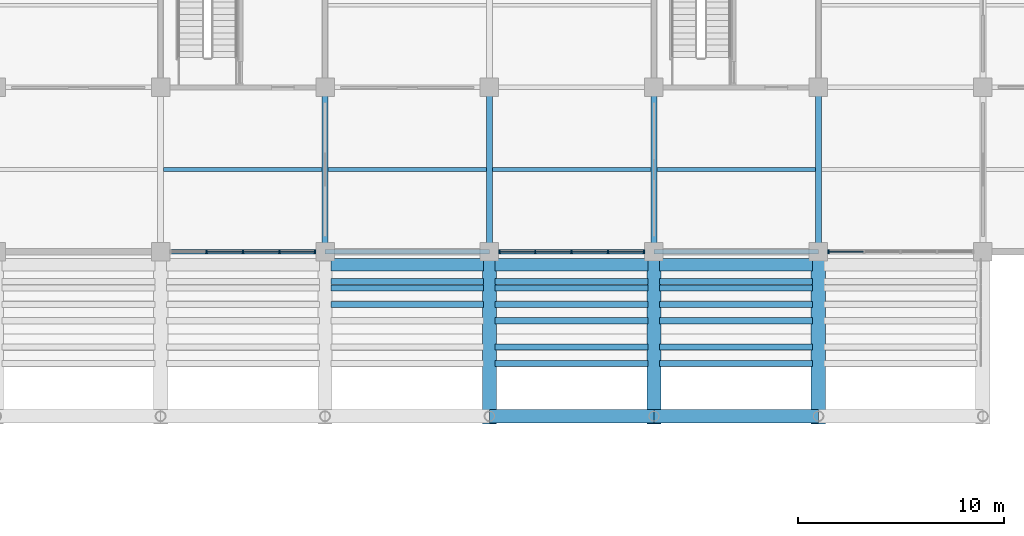
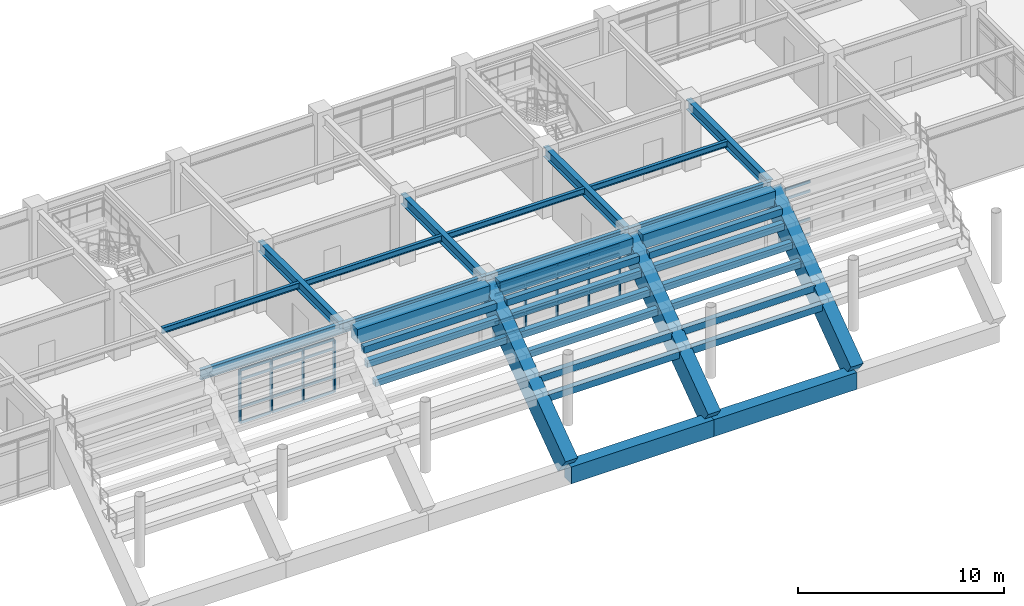
# One storey, part 54 of 118: 42 members, 35 beams, 3 elements without a shape of their own.
"""IFC4 building model written with IfcOpenShell, lengths in metres."""

from ifc_helpers import new_model, si_unit, direction, frame, origin, origin_2d, place, context, subcontext, project, spatial, rectangle, i_section, extrude, material, layer, layer_set, material_profile, profile_set, type_object, element, aggregate, save


model = new_model("IFC4")

# Units and contexts
model_context = context("Model", 3, precision=1e-05, world=origin(), true_north=direction((0.0, 1.0)))
body_context = subcontext(model_context, "Body", "Model", "MODEL_VIEW")
ifc_project = project(units=[si_unit("LENGTHUNIT", "METRE"), si_unit("AREAUNIT", "SQUARE_METRE"), si_unit("VOLUMEUNIT", "CUBIC_METRE"), si_unit("PLANEANGLEUNIT", "RADIAN"), si_unit("MASSUNIT", "GRAM", prefix="KILO")], contexts=[model_context])

# Site, building, storey
site_placement = place(None, origin())
site = spatial("IfcSite", under=ifc_project, at=site_placement, CompositionType="ELEMENT")
building_placement = place(site_placement, origin())
building = spatial("IfcBuilding", under=site, at=building_placement, Name="Haebicheon Civic Stadium", CompositionType="ELEMENT")
storey_placement = place(building_placement, frame((0.0, 0.0, 14.39990234375)))
storey = spatial("IfcBuildingStorey", under=building, at=storey_placement, Name="L04", CompositionType="ELEMENT", Elevation=14.39990234375)

# Beams
ifc_material_1 = material(Name="Precast concrete C40/50", Category="concrete")
ifc_material_profile_1 = material_profile(ifc_material_1, rectangle(XDim=0.300048828125, YDim=0.39990234375, at=origin_2d()), Name="PC-LN-300x400")
ifc_profile_set_1 = profile_set([ifc_material_profile_1], Name="Precast concrete C40/50")
beam_type_1 = type_object("IfcBeamType", Name="BM-LN-300x400", PredefinedType="LINTEL", material=ifc_profile_set_1)
for number, where, z_axis, x_axis, name in (
    (1, (96.280029296875, 149.43994140625, 1.8271484375), (1.0, 0.0, 0.0), (0.0, 1.0, 0.0), "TIER-N-U precast step carrier beam 3.7"),
    (2, (96.280029296875, 150.239990234375, 2.47119140625), (1.0, 0.0, 0.0), (0.0, 1.0, 0.0), "TIER-N-U precast step carrier beam 3.8"),
    (3, (96.280029296875, 150.56005859375, 3.1162109375), (1.0, 0.0, 0.0), (0.0, 1.0, 0.0), "TIER-N-U precast step carrier beam 3.9"),
    (4, (104.280029296875, 146.56005859375, -0.10693359375), (1.0, 0.0, 0.0), (0.0, 1.0, 0.0), "TIER-N-U precast step carrier beam 4.4"),
    (5, (104.280029296875, 147.360107421875, 0.5380859375), (1.0, 0.0, 0.0), (0.0, 1.0, 0.0), "TIER-N-U precast step carrier beam 4.5"),
    (6, (104.280029296875, 148.639892578125, 1.18212890625), (1.0, 0.0, 0.0), (0.0, 1.0, 0.0), "TIER-N-U precast step carrier beam 4.6"),
    (7, (104.280029296875, 149.43994140625, 1.8271484375), (1.0, 0.0, 0.0), (0.0, 1.0, 0.0), "TIER-N-U precast step carrier beam 4.7"),
    (8, (104.280029296875, 150.239990234375, 2.47119140625), (1.0, 0.0, 0.0), (0.0, 1.0, 0.0), "TIER-N-U precast step carrier beam 4.8"),
    (9, (104.280029296875, 150.56005859375, 3.1162109375), (1.0, 0.0, 0.0), (0.0, 1.0, 0.0), "TIER-N-U precast step carrier beam 4.9"),
    (10, (112.280029296875, 146.56005859375, -0.10693359375), (1.0, 0.0, 0.0), (0.0, 1.0, 0.0), "TIER-N-U precast step carrier beam 5.4"),
    (11, (112.280029296875, 147.360107421875, 0.5380859375), (1.0, 0.0, 0.0), (0.0, 1.0, 0.0), "TIER-N-U precast step carrier beam 5.5"),
    (12, (112.280029296875, 148.639892578125, 1.18212890625), (1.0, 0.0, 0.0), (0.0, 1.0, 0.0), "TIER-N-U precast step carrier beam 5.6"),
    (13, (112.280029296875, 149.43994140625, 1.8271484375), (1.0, 0.0, 0.0), (0.0, 1.0, 0.0), "TIER-N-U precast step carrier beam 5.7"),
    (14, (112.280029296875, 150.239990234375, 2.47119140625), (1.0, 0.0, 0.0), (0.0, 1.0, 0.0), "TIER-N-U precast step carrier beam 5.8"),
    (15, (112.280029296875, 150.56005859375, 3.1162109375), (1.0, 0.0, 0.0), (0.0, 1.0, 0.0), "TIER-N-U precast step carrier beam 5.9"),
):
    element("IfcBeam", number, at=place(storey_placement, frame(where, z_axis=z_axis, x_axis=x_axis)), inside=storey, type_object=beam_type_1, material=ifc_profile_set_1, Name=name, PredefinedType="LINTEL", context=body_context, shape_type="SweptSolid", body=[
        extrude(rectangle(XDim=0.300048828125, YDim=0.39990234375, at=origin_2d()), origin(), (0.0, 0.0, 1.0), 7.43994140625),
    ])
ifc_material_2 = material(Name="Concrete C40/50", Category="concrete")
ifc_material_profile_2 = material_profile(ifc_material_2, rectangle(XDim=0.64990234375, YDim=1.0, at=origin_2d()), Name="RC-BM-650x1000")
ifc_profile_set_2 = profile_set([ifc_material_profile_2], Name="Concrete C40/50")
beam_type_2 = type_object("IfcBeamType", Name="BM-RC-650x1000", PredefinedType="BEAM", material=ifc_profile_set_2)
for number, where, z_axis, x_axis, name in (
    (16, (104.0, 144.0, -2.914794921875), (1.0, 0.0, 0.0), (0.0, 1.0, 0.0), "TIER-N-U nose support girder 4"),
    (17, (112.0, 144.0, -2.914794921875), (1.0, 0.0, 0.0), (0.0, 1.0, 0.0), "TIER-N-U nose support girder 5"),
):
    element("IfcBeam", number, at=place(storey_placement, frame(where, z_axis=z_axis, x_axis=x_axis)), inside=storey, type_object=beam_type_2, material=ifc_profile_set_2, Name=name, PredefinedType="BEAM", context=body_context, shape_type="SweptSolid", body=[
        extrude(rectangle(XDim=0.64990234375, YDim=1.0, at=origin_2d()), origin(), (0.0, 0.0, 1.0), 8.0),
    ])
ifc_material_3 = material(Name="Steel SM355 (S355)", Category="steel")
ifc_material_profile_3 = material_profile(ifc_material_3, i_section(OverallWidth=0.300048828125, OverallDepth=0.60009765625, WebThickness=0.011962890625, FlangeThickness=0.02001953125, at=origin_2d()), Name="H-600x300x12x20")
ifc_profile_set_3 = profile_set([ifc_material_profile_3], Name="Steel SM355 (S355)")
beam_type_3 = type_object("IfcBeamType", Name="BM-ST-H600A", PredefinedType="BEAM", material=ifc_profile_set_3)
for number, where, z_axis, x_axis, name in (
    (18, (96.0, 152.0, 3.64013671875), (0.0, 1.0, 0.0), (-1.0, 0.0, 0.0), "L04 girder 13/V-W"),
    (19, (104.0, 152.0, 3.64013671875), (0.0, 1.0, 0.0), (-1.0, 0.0, 0.0), "L04 girder 14/V-W"),
    (20, (112.0, 152.0, 3.64013671875), (0.0, 1.0, 0.0), (-1.0, 0.0, 0.0), "L04 girder 15/V-W"),
    (21, (120.0, 152.0, 3.64013671875), (0.0, 1.0, 0.0), (-1.0, 0.0, 0.0), "L04 girder 16/V-W"),
):
    element("IfcBeam", number, at=place(storey_placement, frame(where, z_axis=z_axis, x_axis=x_axis)), inside=storey, type_object=beam_type_3, material=ifc_profile_set_3, Name=name, PredefinedType="BEAM", context=body_context, shape_type="SweptSolid", body=[
        extrude(i_section(OverallWidth=0.300048828125, OverallDepth=0.60009765625, WebThickness=0.011962890625, FlangeThickness=0.02001953125, at=origin_2d()), origin(), (0.0, 0.0, 1.0), 8.0),
    ])
ifc_material_4 = material(Name="Precast concrete C40/50", Category="concrete")
ifc_material_profile_4 = material_profile(ifc_material_4, rectangle(XDim=0.60009765625, YDim=0.85009765625, at=origin_2d()), Name="PC-TB-600x850")
ifc_profile_set_4 = profile_set([ifc_material_profile_4], Name="Precast concrete C40/50")
beam_type_4 = type_object("IfcBeamType", Name="BM-TB-600x850", PredefinedType="T_BEAM", material=ifc_profile_set_4)
for number, where, z_axis, x_axis, name in (
    (22, (96.280029296875, 151.360107421875, 3.53515625), (1.0, 0.0, 0.0), (0.0, 1.0, 0.0), "TIER-N-U upper tier bench carrier beam 3"),
    (23, (104.280029296875, 151.360107421875, 3.53515625), (1.0, 0.0, 0.0), (0.0, 1.0, 0.0), "TIER-N-U upper tier bench carrier beam 4"),
    (24, (112.280029296875, 151.360107421875, 3.53515625), (1.0, 0.0, 0.0), (0.0, 1.0, 0.0), "TIER-N-U upper tier bench carrier beam 5"),
):
    element("IfcBeam", number, at=place(storey_placement, frame(where, z_axis=z_axis, x_axis=x_axis)), inside=storey, type_object=beam_type_4, material=ifc_profile_set_4, Name=name, PredefinedType="T_BEAM", context=body_context, shape_type="SweptSolid", body=[
        extrude(rectangle(XDim=0.60009765625, YDim=0.85009765625, at=origin_2d()), origin(), (0.0, 0.0, 1.0), 7.43994140625),
    ])

# Curtain wall, members
ifc_material_5 = material(Name="Anodised aluminium and laminated glass", Category="aluminium")
ifc_layer = layer(ifc_material_5, 0.179931640625, Name="Anodised aluminium and laminated glass")
ifc_layer_set = layer_set([ifc_layer], Name="Anodised aluminium and laminated glass")
curtain_wall_type = type_object("IfcCurtainWallType", Name="CW-7100x3100", PredefinedType="NOTDEFINED", material=ifc_layer_set)
curtain_wall_1_placement = place(storey_placement, origin())
curtain_wall_1 = element("IfcCurtainWall", 25, at=curtain_wall_1_placement, inside=storey, type_object=curtain_wall_type, material=ifc_layer_set, Name="L04 unitised curtain wall 131", PredefinedType="NOTDEFINED")
ifc_material_6 = material(Name="Anodised aluminium 6063-T6", Category="aluminium")
ifc_material_profile_5 = material_profile(ifc_material_6, rectangle(XDim=0.070068359375, YDim=0.199951171875, at=origin_2d()), Name="ALU-MULL-70x200")
ifc_profile_set_5 = profile_set([ifc_material_profile_5], Name="Anodised aluminium 6063-T6")
member_type_1 = type_object("IfcMemberType", Name="CWM-200x70", PredefinedType="MULLION", material=ifc_profile_set_5)
member_1_placement = place(storey_placement, frame((90.22509765625, 152.0, 0.0), z_axis=(0.0, 0.0, 1.0), x_axis=(1.0, 0.0, 0.0)))
member_1 = element("IfcMember", 26, at=member_1_placement, type_object=member_type_1, material=ifc_profile_set_5, Name="CW-L04-131 vertical mullion 2", PredefinedType="MULLION", context=body_context, shape_type="SweptSolid", body=[
    extrude(rectangle(XDim=0.070068359375, YDim=0.199951171875, at=origin_2d()), origin(), (0.0, 0.0, 1.0), 3.10009765625),
])
member_2_placement = place(storey_placement, frame((92.0, 152.0, 0.0), z_axis=(0.0, 0.0, 1.0), x_axis=(1.0, 0.0, 0.0)))
member_2 = element("IfcMember", 27, at=member_2_placement, type_object=member_type_1, material=ifc_profile_set_5, Name="CW-L04-131 vertical mullion 3", PredefinedType="MULLION", context=body_context, shape_type="SweptSolid", body=[
    extrude(rectangle(XDim=0.070068359375, YDim=0.199951171875, at=origin_2d()), origin(), (0.0, 0.0, 1.0), 3.10009765625),
])
member_3_placement = place(storey_placement, frame((93.77490234375, 152.0, 0.0), z_axis=(0.0, 0.0, 1.0), x_axis=(1.0, 0.0, 0.0)))
member_3 = element("IfcMember", 28, at=member_3_placement, type_object=member_type_1, material=ifc_profile_set_5, Name="CW-L04-131 vertical mullion 4", PredefinedType="MULLION", context=body_context, shape_type="SweptSolid", body=[
    extrude(rectangle(XDim=0.070068359375, YDim=0.199951171875, at=origin_2d()), origin(), (0.0, 0.0, 1.0), 3.10009765625),
])
member_4_placement = place(storey_placement, frame((95.514892578125, 152.0, 0.0), z_axis=(0.0, 0.0, 1.0), x_axis=(1.0, 0.0, 0.0)))
member_4 = element("IfcMember", 29, at=member_4_placement, type_object=member_type_1, material=ifc_profile_set_5, Name="CW-L04-131 vertical mullion 5", PredefinedType="MULLION", context=body_context, shape_type="SweptSolid", body=[
    extrude(rectangle(XDim=0.070068359375, YDim=0.199951171875, at=origin_2d()), origin(), (0.0, 0.0, 1.0), 3.10009765625),
])

curtain_wall_2_placement = place(storey_placement, origin())
curtain_wall_2 = element("IfcCurtainWall", 30, at=curtain_wall_2_placement, inside=storey, type_object=curtain_wall_type, material=ifc_layer_set, Name="L04 unitised curtain wall 134", PredefinedType="NOTDEFINED")
member_5_placement = place(storey_placement, frame((104.485107421875, 152.0, 0.0), z_axis=(0.0, 0.0, 1.0), x_axis=(1.0, 0.0, 0.0)))
member_5 = element("IfcMember", 31, at=member_5_placement, type_object=member_type_1, material=ifc_profile_set_5, Name="CW-L04-134 vertical mullion 1", PredefinedType="MULLION", context=body_context, shape_type="SweptSolid", body=[
    extrude(rectangle(XDim=0.070068359375, YDim=0.199951171875, at=origin_2d()), origin(), (0.0, 0.0, 1.0), 3.10009765625),
])
member_6_placement = place(storey_placement, frame((106.22509765625, 152.0, 0.0), z_axis=(0.0, 0.0, 1.0), x_axis=(1.0, 0.0, 0.0)))
member_6 = element("IfcMember", 32, at=member_6_placement, type_object=member_type_1, material=ifc_profile_set_5, Name="CW-L04-134 vertical mullion 2", PredefinedType="MULLION", context=body_context, shape_type="SweptSolid", body=[
    extrude(rectangle(XDim=0.070068359375, YDim=0.199951171875, at=origin_2d()), origin(), (0.0, 0.0, 1.0), 3.10009765625),
])
member_7_placement = place(storey_placement, frame((108.0, 152.0, 0.0), z_axis=(0.0, 0.0, 1.0), x_axis=(1.0, 0.0, 0.0)))
member_7 = element("IfcMember", 33, at=member_7_placement, type_object=member_type_1, material=ifc_profile_set_5, Name="CW-L04-134 vertical mullion 3", PredefinedType="MULLION", context=body_context, shape_type="SweptSolid", body=[
    extrude(rectangle(XDim=0.070068359375, YDim=0.199951171875, at=origin_2d()), origin(), (0.0, 0.0, 1.0), 3.10009765625),
])
member_8_placement = place(storey_placement, frame((109.77490234375, 152.0, 0.0), z_axis=(0.0, 0.0, 1.0), x_axis=(1.0, 0.0, 0.0)))
member_8 = element("IfcMember", 34, at=member_8_placement, type_object=member_type_1, material=ifc_profile_set_5, Name="CW-L04-134 vertical mullion 4", PredefinedType="MULLION", context=body_context, shape_type="SweptSolid", body=[
    extrude(rectangle(XDim=0.070068359375, YDim=0.199951171875, at=origin_2d()), origin(), (0.0, 0.0, 1.0), 3.10009765625),
])
member_9_placement = place(storey_placement, frame((111.514892578125, 152.0, 0.0), z_axis=(0.0, 0.0, 1.0), x_axis=(1.0, 0.0, 0.0)))
member_9 = element("IfcMember", 35, at=member_9_placement, type_object=member_type_1, material=ifc_profile_set_5, Name="CW-L04-134 vertical mullion 5", PredefinedType="MULLION", context=body_context, shape_type="SweptSolid", body=[
    extrude(rectangle(XDim=0.070068359375, YDim=0.199951171875, at=origin_2d()), origin(), (0.0, 0.0, 1.0), 3.10009765625),
])

# Curtain wall, member
curtain_wall_3_placement = place(storey_placement, origin())
curtain_wall_3 = element("IfcCurtainWall", 36, at=curtain_wall_3_placement, inside=storey, type_object=curtain_wall_type, material=ifc_layer_set, Name="L04 unitised curtain wall 137", PredefinedType="NOTDEFINED")
member_10_placement = place(storey_placement, frame((120.485107421875, 152.0, 0.0), z_axis=(0.0, 0.0, 1.0), x_axis=(1.0, 0.0, 0.0)))
member_10 = element("IfcMember", 37, at=member_10_placement, type_object=member_type_1, material=ifc_profile_set_5, Name="CW-L04-137 vertical mullion 1", PredefinedType="MULLION", context=body_context, shape_type="SweptSolid", body=[
    extrude(rectangle(XDim=0.070068359375, YDim=0.199951171875, at=origin_2d()), origin(), (0.0, 0.0, 1.0), 3.10009765625),
])

# Member
ifc_material_7 = material(Name="Anodised aluminium 6063-T6", Category="aluminium")
ifc_material_profile_6 = material_profile(ifc_material_7, rectangle(XDim=0.070068359375, YDim=0.14990234375, at=origin_2d()), Name="ALU-TRAN-70x150")
ifc_profile_set_6 = profile_set([ifc_material_profile_6], Name="Anodised aluminium 6063-T6")
member_type_2 = type_object("IfcMemberType", Name="CWT-150x70", PredefinedType="NOTDEFINED", material=ifc_profile_set_6)
member_11_placement = place(storey_placement, frame((90.260009765625, 152.0, 0.0), z_axis=(1.0, 0.0, 0.0), x_axis=(0.0, 1.0, 0.0)))
member_11 = element("IfcMember", 38, at=member_11_placement, type_object=member_type_2, material=ifc_profile_set_6, Name="CW-L04-131 horizontal transom 2.1", ObjectType="TRANSOM", PredefinedType="USERDEFINED", context=body_context, shape_type="SweptSolid", body=[
    extrude(rectangle(XDim=0.070068359375, YDim=0.14990234375, at=origin_2d()), origin(), (0.0, 0.0, 1.0), 1.705078125),
])

member_12_placement = place(storey_placement, frame((90.260009765625, 152.0, 0.900146484375), z_axis=(1.0, 0.0, 0.0), x_axis=(0.0, 1.0, 0.0)))
member_12 = element("IfcMember", 39, at=member_12_placement, type_object=member_type_2, material=ifc_profile_set_6, Name="CW-L04-131 horizontal transom 2.2", ObjectType="TRANSOM", PredefinedType="USERDEFINED", context=body_context, shape_type="SweptSolid", body=[
    extrude(rectangle(XDim=0.070068359375, YDim=0.14990234375, at=origin_2d()), origin(), (0.0, 0.0, 1.0), 1.705078125),
])

member_13_placement = place(storey_placement, frame((90.260009765625, 152.0, 2.550048828125), z_axis=(1.0, 0.0, 0.0), x_axis=(0.0, 1.0, 0.0)))
member_13 = element("IfcMember", 40, at=member_13_placement, type_object=member_type_2, material=ifc_profile_set_6, Name="CW-L04-131 horizontal transom 2.3", ObjectType="TRANSOM", PredefinedType="USERDEFINED", context=body_context, shape_type="SweptSolid", body=[
    extrude(rectangle(XDim=0.070068359375, YDim=0.14990234375, at=origin_2d()), origin(), (0.0, 0.0, 1.0), 1.705078125),
])

member_14_placement = place(storey_placement, frame((90.260009765625, 152.0, 3.10009765625), z_axis=(1.0, 0.0, 0.0), x_axis=(0.0, 1.0, 0.0)))
member_14 = element("IfcMember", 41, at=member_14_placement, type_object=member_type_2, material=ifc_profile_set_6, Name="CW-L04-131 horizontal transom 2.4", ObjectType="TRANSOM", PredefinedType="USERDEFINED", context=body_context, shape_type="SweptSolid", body=[
    extrude(rectangle(XDim=0.070068359375, YDim=0.14990234375, at=origin_2d()), origin(), (0.0, 0.0, 1.0), 1.705078125),
])

member_15_placement = place(storey_placement, frame((92.034912109375, 152.0, 0.0), z_axis=(1.0, 0.0, 0.0), x_axis=(0.0, 1.0, 0.0)))
member_15 = element("IfcMember", 42, at=member_15_placement, type_object=member_type_2, material=ifc_profile_set_6, Name="CW-L04-131 horizontal transom 3.1", ObjectType="TRANSOM", PredefinedType="USERDEFINED", context=body_context, shape_type="SweptSolid", body=[
    extrude(rectangle(XDim=0.070068359375, YDim=0.14990234375, at=origin_2d()), origin(), (0.0, 0.0, 1.0), 1.705078125),
])

member_16_placement = place(storey_placement, frame((92.034912109375, 152.0, 0.900146484375), z_axis=(1.0, 0.0, 0.0), x_axis=(0.0, 1.0, 0.0)))
member_16 = element("IfcMember", 43, at=member_16_placement, type_object=member_type_2, material=ifc_profile_set_6, Name="CW-L04-131 horizontal transom 3.2", ObjectType="TRANSOM", PredefinedType="USERDEFINED", context=body_context, shape_type="SweptSolid", body=[
    extrude(rectangle(XDim=0.070068359375, YDim=0.14990234375, at=origin_2d()), origin(), (0.0, 0.0, 1.0), 1.705078125),
])

member_17_placement = place(storey_placement, frame((92.034912109375, 152.0, 2.550048828125), z_axis=(1.0, 0.0, 0.0), x_axis=(0.0, 1.0, 0.0)))
member_17 = element("IfcMember", 44, at=member_17_placement, type_object=member_type_2, material=ifc_profile_set_6, Name="CW-L04-131 horizontal transom 3.3", ObjectType="TRANSOM", PredefinedType="USERDEFINED", context=body_context, shape_type="SweptSolid", body=[
    extrude(rectangle(XDim=0.070068359375, YDim=0.14990234375, at=origin_2d()), origin(), (0.0, 0.0, 1.0), 1.705078125),
])

member_18_placement = place(storey_placement, frame((92.034912109375, 152.0, 3.10009765625), z_axis=(1.0, 0.0, 0.0), x_axis=(0.0, 1.0, 0.0)))
member_18 = element("IfcMember", 45, at=member_18_placement, type_object=member_type_2, material=ifc_profile_set_6, Name="CW-L04-131 horizontal transom 3.4", ObjectType="TRANSOM", PredefinedType="USERDEFINED", context=body_context, shape_type="SweptSolid", body=[
    extrude(rectangle(XDim=0.070068359375, YDim=0.14990234375, at=origin_2d()), origin(), (0.0, 0.0, 1.0), 1.705078125),
])

member_19_placement = place(storey_placement, frame((93.81005859375, 152.0, 0.0), z_axis=(1.0, 0.0, 0.0), x_axis=(0.0, 1.0, 0.0)))
member_19 = element("IfcMember", 46, at=member_19_placement, type_object=member_type_2, material=ifc_profile_set_6, Name="CW-L04-131 horizontal transom 4.1", ObjectType="TRANSOM", PredefinedType="USERDEFINED", context=body_context, shape_type="SweptSolid", body=[
    extrude(rectangle(XDim=0.070068359375, YDim=0.14990234375, at=origin_2d()), origin(), (0.0, 0.0, 1.0), 1.669921875),
])

member_20_placement = place(storey_placement, frame((93.81005859375, 152.0, 0.900146484375), z_axis=(1.0, 0.0, 0.0), x_axis=(0.0, 1.0, 0.0)))
member_20 = element("IfcMember", 47, at=member_20_placement, type_object=member_type_2, material=ifc_profile_set_6, Name="CW-L04-131 horizontal transom 4.2", ObjectType="TRANSOM", PredefinedType="USERDEFINED", context=body_context, shape_type="SweptSolid", body=[
    extrude(rectangle(XDim=0.070068359375, YDim=0.14990234375, at=origin_2d()), origin(), (0.0, 0.0, 1.0), 1.669921875),
])

member_21_placement = place(storey_placement, frame((93.81005859375, 152.0, 2.550048828125), z_axis=(1.0, 0.0, 0.0), x_axis=(0.0, 1.0, 0.0)))
member_21 = element("IfcMember", 48, at=member_21_placement, type_object=member_type_2, material=ifc_profile_set_6, Name="CW-L04-131 horizontal transom 4.3", ObjectType="TRANSOM", PredefinedType="USERDEFINED", context=body_context, shape_type="SweptSolid", body=[
    extrude(rectangle(XDim=0.070068359375, YDim=0.14990234375, at=origin_2d()), origin(), (0.0, 0.0, 1.0), 1.669921875),
])

member_22_placement = place(storey_placement, frame((93.81005859375, 152.0, 3.10009765625), z_axis=(1.0, 0.0, 0.0), x_axis=(0.0, 1.0, 0.0)))
member_22 = element("IfcMember", 49, at=member_22_placement, type_object=member_type_2, material=ifc_profile_set_6, Name="CW-L04-131 horizontal transom 4.4", ObjectType="TRANSOM", PredefinedType="USERDEFINED", context=body_context, shape_type="SweptSolid", body=[
    extrude(rectangle(XDim=0.070068359375, YDim=0.14990234375, at=origin_2d()), origin(), (0.0, 0.0, 1.0), 1.669921875),
])

aggregate(curtain_wall_1, [member_1, member_2, member_3, member_4, member_11, member_12, member_13, member_14, member_15, member_16, member_17, member_18, member_19, member_20, member_21, member_22])

member_23_placement = place(storey_placement, frame((104.52001953125, 152.0, 0.0), z_axis=(1.0, 0.0, 0.0), x_axis=(0.0, 1.0, 0.0)))
member_23 = element("IfcMember", 50, at=member_23_placement, type_object=member_type_2, material=ifc_profile_set_6, Name="CW-L04-134 horizontal transom 1.1", ObjectType="TRANSOM", PredefinedType="USERDEFINED", context=body_context, shape_type="SweptSolid", body=[
    extrude(rectangle(XDim=0.070068359375, YDim=0.14990234375, at=origin_2d()), origin(), (0.0, 0.0, 1.0), 1.669921875),
])

member_24_placement = place(storey_placement, frame((104.52001953125, 152.0, 0.900146484375), z_axis=(1.0, 0.0, 0.0), x_axis=(0.0, 1.0, 0.0)))
member_24 = element("IfcMember", 51, at=member_24_placement, type_object=member_type_2, material=ifc_profile_set_6, Name="CW-L04-134 horizontal transom 1.2", ObjectType="TRANSOM", PredefinedType="USERDEFINED", context=body_context, shape_type="SweptSolid", body=[
    extrude(rectangle(XDim=0.070068359375, YDim=0.14990234375, at=origin_2d()), origin(), (0.0, 0.0, 1.0), 1.669921875),
])

member_25_placement = place(storey_placement, frame((104.52001953125, 152.0, 2.550048828125), z_axis=(1.0, 0.0, 0.0), x_axis=(0.0, 1.0, 0.0)))
member_25 = element("IfcMember", 52, at=member_25_placement, type_object=member_type_2, material=ifc_profile_set_6, Name="CW-L04-134 horizontal transom 1.3", ObjectType="TRANSOM", PredefinedType="USERDEFINED", context=body_context, shape_type="SweptSolid", body=[
    extrude(rectangle(XDim=0.070068359375, YDim=0.14990234375, at=origin_2d()), origin(), (0.0, 0.0, 1.0), 1.669921875),
])

member_26_placement = place(storey_placement, frame((104.52001953125, 152.0, 3.10009765625), z_axis=(1.0, 0.0, 0.0), x_axis=(0.0, 1.0, 0.0)))
member_26 = element("IfcMember", 53, at=member_26_placement, type_object=member_type_2, material=ifc_profile_set_6, Name="CW-L04-134 horizontal transom 1.4", ObjectType="TRANSOM", PredefinedType="USERDEFINED", context=body_context, shape_type="SweptSolid", body=[
    extrude(rectangle(XDim=0.070068359375, YDim=0.14990234375, at=origin_2d()), origin(), (0.0, 0.0, 1.0), 1.669921875),
])

member_27_placement = place(storey_placement, frame((106.260009765625, 152.0, 0.0), z_axis=(1.0, 0.0, 0.0), x_axis=(0.0, 1.0, 0.0)))
member_27 = element("IfcMember", 54, at=member_27_placement, type_object=member_type_2, material=ifc_profile_set_6, Name="CW-L04-134 horizontal transom 2.1", ObjectType="TRANSOM", PredefinedType="USERDEFINED", context=body_context, shape_type="SweptSolid", body=[
    extrude(rectangle(XDim=0.070068359375, YDim=0.14990234375, at=origin_2d()), origin(), (0.0, 0.0, 1.0), 1.705078125),
])

member_28_placement = place(storey_placement, frame((106.260009765625, 152.0, 0.900146484375), z_axis=(1.0, 0.0, 0.0), x_axis=(0.0, 1.0, 0.0)))
member_28 = element("IfcMember", 55, at=member_28_placement, type_object=member_type_2, material=ifc_profile_set_6, Name="CW-L04-134 horizontal transom 2.2", ObjectType="TRANSOM", PredefinedType="USERDEFINED", context=body_context, shape_type="SweptSolid", body=[
    extrude(rectangle(XDim=0.070068359375, YDim=0.14990234375, at=origin_2d()), origin(), (0.0, 0.0, 1.0), 1.705078125),
])

member_29_placement = place(storey_placement, frame((106.260009765625, 152.0, 2.550048828125), z_axis=(1.0, 0.0, 0.0), x_axis=(0.0, 1.0, 0.0)))
member_29 = element("IfcMember", 56, at=member_29_placement, type_object=member_type_2, material=ifc_profile_set_6, Name="CW-L04-134 horizontal transom 2.3", ObjectType="TRANSOM", PredefinedType="USERDEFINED", context=body_context, shape_type="SweptSolid", body=[
    extrude(rectangle(XDim=0.070068359375, YDim=0.14990234375, at=origin_2d()), origin(), (0.0, 0.0, 1.0), 1.705078125),
])

member_30_placement = place(storey_placement, frame((106.260009765625, 152.0, 3.10009765625), z_axis=(1.0, 0.0, 0.0), x_axis=(0.0, 1.0, 0.0)))
member_30 = element("IfcMember", 57, at=member_30_placement, type_object=member_type_2, material=ifc_profile_set_6, Name="CW-L04-134 horizontal transom 2.4", ObjectType="TRANSOM", PredefinedType="USERDEFINED", context=body_context, shape_type="SweptSolid", body=[
    extrude(rectangle(XDim=0.070068359375, YDim=0.14990234375, at=origin_2d()), origin(), (0.0, 0.0, 1.0), 1.705078125),
])

member_31_placement = place(storey_placement, frame((108.034912109375, 152.0, 0.0), z_axis=(1.0, 0.0, 0.0), x_axis=(0.0, 1.0, 0.0)))
member_31 = element("IfcMember", 58, at=member_31_placement, type_object=member_type_2, material=ifc_profile_set_6, Name="CW-L04-134 horizontal transom 3.1", ObjectType="TRANSOM", PredefinedType="USERDEFINED", context=body_context, shape_type="SweptSolid", body=[
    extrude(rectangle(XDim=0.070068359375, YDim=0.14990234375, at=origin_2d()), origin(), (0.0, 0.0, 1.0), 1.705078125),
])

member_32_placement = place(storey_placement, frame((108.034912109375, 152.0, 0.900146484375), z_axis=(1.0, 0.0, 0.0), x_axis=(0.0, 1.0, 0.0)))
member_32 = element("IfcMember", 59, at=member_32_placement, type_object=member_type_2, material=ifc_profile_set_6, Name="CW-L04-134 horizontal transom 3.2", ObjectType="TRANSOM", PredefinedType="USERDEFINED", context=body_context, shape_type="SweptSolid", body=[
    extrude(rectangle(XDim=0.070068359375, YDim=0.14990234375, at=origin_2d()), origin(), (0.0, 0.0, 1.0), 1.705078125),
])

member_33_placement = place(storey_placement, frame((108.034912109375, 152.0, 2.550048828125), z_axis=(1.0, 0.0, 0.0), x_axis=(0.0, 1.0, 0.0)))
member_33 = element("IfcMember", 60, at=member_33_placement, type_object=member_type_2, material=ifc_profile_set_6, Name="CW-L04-134 horizontal transom 3.3", ObjectType="TRANSOM", PredefinedType="USERDEFINED", context=body_context, shape_type="SweptSolid", body=[
    extrude(rectangle(XDim=0.070068359375, YDim=0.14990234375, at=origin_2d()), origin(), (0.0, 0.0, 1.0), 1.705078125),
])

member_34_placement = place(storey_placement, frame((108.034912109375, 152.0, 3.10009765625), z_axis=(1.0, 0.0, 0.0), x_axis=(0.0, 1.0, 0.0)))
member_34 = element("IfcMember", 61, at=member_34_placement, type_object=member_type_2, material=ifc_profile_set_6, Name="CW-L04-134 horizontal transom 3.4", ObjectType="TRANSOM", PredefinedType="USERDEFINED", context=body_context, shape_type="SweptSolid", body=[
    extrude(rectangle(XDim=0.070068359375, YDim=0.14990234375, at=origin_2d()), origin(), (0.0, 0.0, 1.0), 1.705078125),
])

member_35_placement = place(storey_placement, frame((109.81005859375, 152.0, 0.0), z_axis=(1.0, 0.0, 0.0), x_axis=(0.0, 1.0, 0.0)))
member_35 = element("IfcMember", 62, at=member_35_placement, type_object=member_type_2, material=ifc_profile_set_6, Name="CW-L04-134 horizontal transom 4.1", ObjectType="TRANSOM", PredefinedType="USERDEFINED", context=body_context, shape_type="SweptSolid", body=[
    extrude(rectangle(XDim=0.070068359375, YDim=0.14990234375, at=origin_2d()), origin(), (0.0, 0.0, 1.0), 1.669921875),
])

member_36_placement = place(storey_placement, frame((109.81005859375, 152.0, 0.900146484375), z_axis=(1.0, 0.0, 0.0), x_axis=(0.0, 1.0, 0.0)))
member_36 = element("IfcMember", 63, at=member_36_placement, type_object=member_type_2, material=ifc_profile_set_6, Name="CW-L04-134 horizontal transom 4.2", ObjectType="TRANSOM", PredefinedType="USERDEFINED", context=body_context, shape_type="SweptSolid", body=[
    extrude(rectangle(XDim=0.070068359375, YDim=0.14990234375, at=origin_2d()), origin(), (0.0, 0.0, 1.0), 1.669921875),
])

member_37_placement = place(storey_placement, frame((109.81005859375, 152.0, 2.550048828125), z_axis=(1.0, 0.0, 0.0), x_axis=(0.0, 1.0, 0.0)))
member_37 = element("IfcMember", 64, at=member_37_placement, type_object=member_type_2, material=ifc_profile_set_6, Name="CW-L04-134 horizontal transom 4.3", ObjectType="TRANSOM", PredefinedType="USERDEFINED", context=body_context, shape_type="SweptSolid", body=[
    extrude(rectangle(XDim=0.070068359375, YDim=0.14990234375, at=origin_2d()), origin(), (0.0, 0.0, 1.0), 1.669921875),
])

member_38_placement = place(storey_placement, frame((109.81005859375, 152.0, 3.10009765625), z_axis=(1.0, 0.0, 0.0), x_axis=(0.0, 1.0, 0.0)))
member_38 = element("IfcMember", 65, at=member_38_placement, type_object=member_type_2, material=ifc_profile_set_6, Name="CW-L04-134 horizontal transom 4.4", ObjectType="TRANSOM", PredefinedType="USERDEFINED", context=body_context, shape_type="SweptSolid", body=[
    extrude(rectangle(XDim=0.070068359375, YDim=0.14990234375, at=origin_2d()), origin(), (0.0, 0.0, 1.0), 1.669921875),
])

aggregate(curtain_wall_2, [member_5, member_6, member_7, member_8, member_9, member_23, member_24, member_25, member_26, member_27, member_28, member_29, member_30, member_31, member_32, member_33, member_34, member_35, member_36, member_37, member_38])

member_39_placement = place(storey_placement, frame((120.52001953125, 152.0, 0.0), z_axis=(1.0, 0.0, 0.0), x_axis=(0.0, 1.0, 0.0)))
member_39 = element("IfcMember", 66, at=member_39_placement, type_object=member_type_2, material=ifc_profile_set_6, Name="CW-L04-137 horizontal transom 1.1", ObjectType="TRANSOM", PredefinedType="USERDEFINED", context=body_context, shape_type="SweptSolid", body=[
    extrude(rectangle(XDim=0.070068359375, YDim=0.14990234375, at=origin_2d()), origin(), (0.0, 0.0, 1.0), 1.669921875),
])

member_40_placement = place(storey_placement, frame((120.52001953125, 152.0, 0.900146484375), z_axis=(1.0, 0.0, 0.0), x_axis=(0.0, 1.0, 0.0)))
member_40 = element("IfcMember", 67, at=member_40_placement, type_object=member_type_2, material=ifc_profile_set_6, Name="CW-L04-137 horizontal transom 1.2", ObjectType="TRANSOM", PredefinedType="USERDEFINED", context=body_context, shape_type="SweptSolid", body=[
    extrude(rectangle(XDim=0.070068359375, YDim=0.14990234375, at=origin_2d()), origin(), (0.0, 0.0, 1.0), 1.669921875),
])

member_41_placement = place(storey_placement, frame((120.52001953125, 152.0, 2.550048828125), z_axis=(1.0, 0.0, 0.0), x_axis=(0.0, 1.0, 0.0)))
member_41 = element("IfcMember", 68, at=member_41_placement, type_object=member_type_2, material=ifc_profile_set_6, Name="CW-L04-137 horizontal transom 1.3", ObjectType="TRANSOM", PredefinedType="USERDEFINED", context=body_context, shape_type="SweptSolid", body=[
    extrude(rectangle(XDim=0.070068359375, YDim=0.14990234375, at=origin_2d()), origin(), (0.0, 0.0, 1.0), 1.669921875),
])

member_42_placement = place(storey_placement, frame((120.52001953125, 152.0, 3.10009765625), z_axis=(1.0, 0.0, 0.0), x_axis=(0.0, 1.0, 0.0)))
member_42 = element("IfcMember", 69, at=member_42_placement, type_object=member_type_2, material=ifc_profile_set_6, Name="CW-L04-137 horizontal transom 1.4", ObjectType="TRANSOM", PredefinedType="USERDEFINED", context=body_context, shape_type="SweptSolid", body=[
    extrude(rectangle(XDim=0.070068359375, YDim=0.14990234375, at=origin_2d()), origin(), (0.0, 0.0, 1.0), 1.669921875),
])

aggregate(curtain_wall_3, [member_10, member_39, member_40, member_41, member_42])

# Beams
ifc_material_8 = material(Name="Steel SM355 (S355)", Category="steel")
ifc_material_profile_7 = material_profile(ifc_material_8, i_section(OverallWidth=0.175048828125, OverallDepth=0.35009765625, WebThickness=0.007080078125, FlangeThickness=0.010986328125, at=origin_2d()), Name="H-350x175x7x11")
ifc_profile_set_7 = profile_set([ifc_material_profile_7], Name="Steel SM355 (S355)")
beam_type_5 = type_object("IfcBeamType", Name="JST-ST-H350", PredefinedType="JOIST", material=ifc_profile_set_7)
for number, where, z_axis, x_axis, name in (
    (70, (88.14990234375, 156.0, 3.76513671875), (1.0, 0.0, 0.0), (0.0, 1.0, 0.0), "L04 secondary joist 11-19"),
    (71, (96.14990234375, 156.0, 3.76513671875), (1.0, 0.0, 0.0), (0.0, 1.0, 0.0), "L04 secondary joist 12-19"),
    (72, (104.14990234375, 156.0, 3.76513671875), (1.0, 0.0, 0.0), (0.0, 1.0, 0.0), "L04 secondary joist 13-19"),
    (73, (112.14990234375, 156.0, 3.76513671875), (1.0, 0.0, 0.0), (0.0, 1.0, 0.0), "L04 secondary joist 14-19"),
):
    element("IfcBeam", number, at=place(storey_placement, frame(where, z_axis=z_axis, x_axis=x_axis)), inside=storey, type_object=beam_type_5, material=ifc_profile_set_7, Name=name, PredefinedType="JOIST", context=body_context, shape_type="SweptSolid", body=[
        extrude(i_section(OverallWidth=0.175048828125, OverallDepth=0.35009765625, WebThickness=0.007080078125, FlangeThickness=0.010986328125, at=origin_2d()), origin(), (0.0, 0.0, 1.0), 7.7001953125),
    ])
ifc_material_9 = material(Name="Precast concrete C40/50", Category="concrete")
ifc_material_profile_8 = material_profile(ifc_material_9, rectangle(XDim=0.699951171875, YDim=1.25, at=origin_2d()), Name="PC-RK-700x1250")
ifc_profile_set_8 = profile_set([ifc_material_profile_8], Name="Precast concrete C40/50")
beam_type_6 = type_object("IfcBeamType", Name="RK-PC-700x1250", PredefinedType="USERDEFINED", material=ifc_profile_set_8)
for number, where, z_axis, x_axis, name in (
    (74, (104.0, 144.0, -2.46484375), (0.0, 0.809608095134, 0.586970810428), (-1.0, 0.0, 0.0), "TIER-N-U inclined precast raker beam 4"),
    (75, (112.0, 144.0, -2.46484375), (0.0, 0.809608095134, 0.586970810428), (-1.0, 0.0, 0.0), "TIER-N-U inclined precast raker beam 5"),
    (76, (120.0, 144.0, -2.46484375), (0.0, 0.809608095134, 0.586970810428), (-1.0, 0.0, 0.0), "TIER-N-U inclined precast raker beam 6"),
):
    element("IfcBeam", number, at=place(storey_placement, frame(where, z_axis=z_axis, x_axis=x_axis)), inside=storey, type_object=beam_type_6, material=ifc_profile_set_8, Name=name, ObjectType="RAKER BEAM", PredefinedType="USERDEFINED", context=body_context, shape_type="SweptSolid", body=[
        extrude(rectangle(XDim=0.699951171875, YDim=1.25, at=origin_2d()), origin(), (0.0, 0.0, 1.0), 9.88134765625),
    ])
ifc_material_10 = material(Name="Steel SM355 (S355)", Category="steel")
ifc_material_profile_9 = material_profile(ifc_material_10, i_section(OverallWidth=0.199951171875, OverallDepth=0.60009765625, WebThickness=0.010986328125, FlangeThickness=0.01708984375, at=origin_2d()), Name="H-600x200x11x17")
ifc_profile_set_9 = profile_set([ifc_material_profile_9], Name="Steel SM355 (S355)")
beam_type_7 = type_object("IfcBeamType", Name="SPD-ST-H600B", PredefinedType="SPANDREL", material=ifc_profile_set_9)
for number, where, z_axis, x_axis, name in (
    (77, (88.0, 152.0, 3.64013671875), (1.0, 0.0, 0.0), (0.0, 1.0, 0.0), "L04 beam V/12-13"),
    (78, (96.0, 152.0, 3.64013671875), (1.0, 0.0, 0.0), (0.0, 1.0, 0.0), "L04 beam V/13-14"),
    (79, (104.0, 152.0, 3.64013671875), (1.0, 0.0, 0.0), (0.0, 1.0, 0.0), "L04 beam V/14-15"),
    (80, (112.0, 152.0, 3.64013671875), (1.0, 0.0, 0.0), (0.0, 1.0, 0.0), "L04 beam V/15-16"),
):
    element("IfcBeam", number, at=place(storey_placement, frame(where, z_axis=z_axis, x_axis=x_axis)), inside=storey, type_object=beam_type_7, material=ifc_profile_set_9, Name=name, PredefinedType="SPANDREL", context=body_context, shape_type="SweptSolid", body=[
        extrude(i_section(OverallWidth=0.199951171875, OverallDepth=0.60009765625, WebThickness=0.010986328125, FlangeThickness=0.01708984375, at=origin_2d()), origin(), (0.0, 0.0, 1.0), 8.0),
    ])

save(model, "model.ifc")
